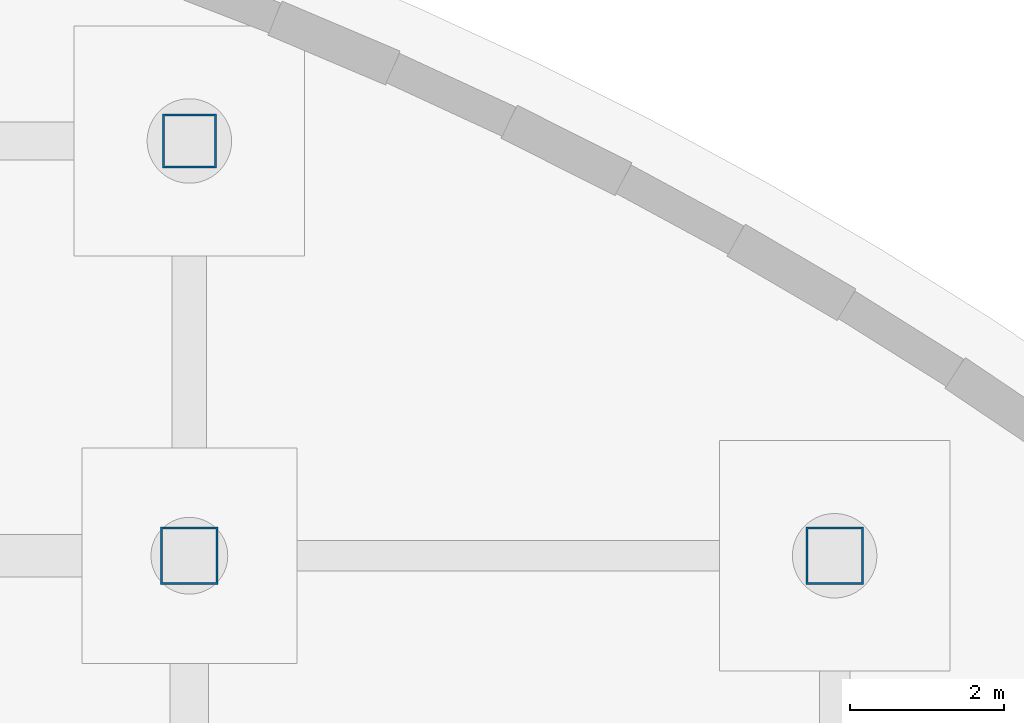
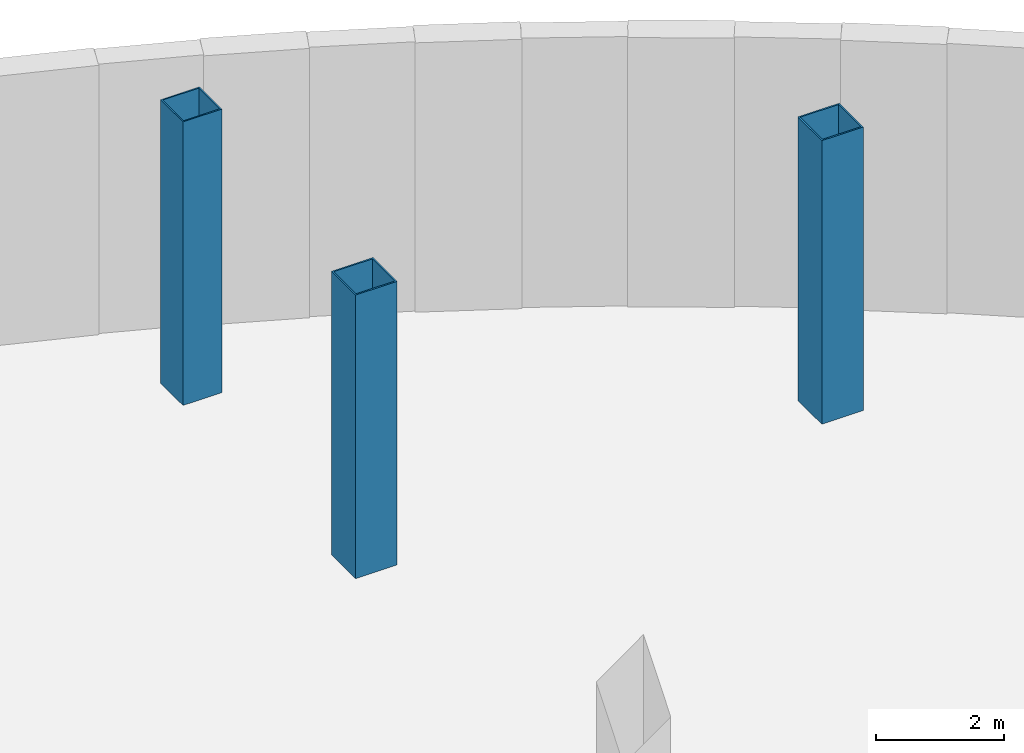
# One storey, part 20 of 49: 3 columns.
"""IFC4 building model written with IfcOpenShell, lengths in metres."""

from ifc_helpers import new_model, si_unit, direction, frame, origin, origin_2d, place, context, subcontext, project, spatial, hollow_rectangle, extrude, material, material_profile, profile_set, type_object, element, save


model = new_model("IFC4")

# Units and contexts
model_context = context("Model", 3, precision=1e-05, world=origin(), true_north=direction((0.0, 1.0)))
body_context = subcontext(model_context, "Body", "Model", "MODEL_VIEW")
ifc_project = project(units=[si_unit("LENGTHUNIT", "METRE"), si_unit("AREAUNIT", "SQUARE_METRE"), si_unit("VOLUMEUNIT", "CUBIC_METRE"), si_unit("PLANEANGLEUNIT", "RADIAN"), si_unit("MASSUNIT", "GRAM", prefix="KILO"), si_unit("THERMODYNAMICTEMPERATUREUNIT", "KELVIN")], contexts=[model_context])

# Site, building, storey
site_placement = place(None, origin())
site = spatial("IfcSite", under=ifc_project, at=site_placement, CompositionType="ELEMENT")
building_placement = place(site_placement, origin())
building = spatial("IfcBuilding", under=site, at=building_placement, Name="Lustrewick Department Store", CompositionType="ELEMENT")
storey_placement = place(building_placement, frame((0.0, 0.0, -5.39990234375)))
storey = spatial("IfcBuildingStorey", under=building, at=storey_placement, Name="B1", CompositionType="ELEMENT", Elevation=-5.39990234375)

# Columns
ifc_material = material(Name="Structural steel Q355C", Category="steel")
ifc_material_profile_1 = material_profile(ifc_material, hollow_rectangle(XDim=0.75, YDim=0.75, WallThickness=0.028076171875, at=origin_2d()), Name="BOX 750x750x28")
ifc_profile_set_1 = profile_set([ifc_material_profile_1], Name="Structural steel Q355C")
column_type_1 = type_object("IfcColumnType", Name="C01", PredefinedType="COLUMN", material=ifc_profile_set_1)
for number, where, z_axis, x_axis, name in (
    (1, (134.39990234375, 100.800048828125, 0.0), (0.0, 0.0, 1.0), (1.0, 0.0, 0.0), "B1 V4 Column C01"),
    (2, (142.800048828125, 100.800048828125, 0.0), (0.0, 0.0, 1.0), (1.0, 0.0, 0.0), "B1 V4 Column C01"),
):
    element("IfcColumn", number, at=place(storey_placement, frame(where, z_axis=z_axis, x_axis=x_axis)), inside=storey, type_object=column_type_1, Name=name, PredefinedType="COLUMN", context=body_context, shape_type="SweptSolid", body=[
        extrude(hollow_rectangle(XDim=0.75, YDim=0.75, WallThickness=0.028076171875, at=origin_2d()), origin(), (0.0, 0.0, 1.0), 5.39990234375),
    ])
ifc_material_profile_2 = material_profile(ifc_material, hollow_rectangle(XDim=0.699951171875, YDim=0.699951171875, WallThickness=0.02587890625, at=origin_2d()), Name="BOX 700x700x26")
ifc_profile_set_2 = profile_set([ifc_material_profile_2], Name="Structural steel Q355C")
column_type_2 = type_object("IfcColumnType", Name="C02", PredefinedType="COLUMN", material=ifc_profile_set_2)
column_placement = place(storey_placement, frame((134.39990234375, 106.199951171875, 0.0), z_axis=(0.0, 0.0, 1.0), x_axis=(1.0, 0.0, 0.0)))
element("IfcColumn", 3, at=column_placement, inside=storey, type_object=column_type_2, Name="B1 V4 Column C02", PredefinedType="COLUMN", context=body_context, shape_type="SweptSolid", body=[
    extrude(hollow_rectangle(XDim=0.699951171875, YDim=0.699951171875, WallThickness=0.02587890625, at=origin_2d()), origin(), (0.0, 0.0, 1.0), 5.39990234375),
])

save(model, "model.ifc")
